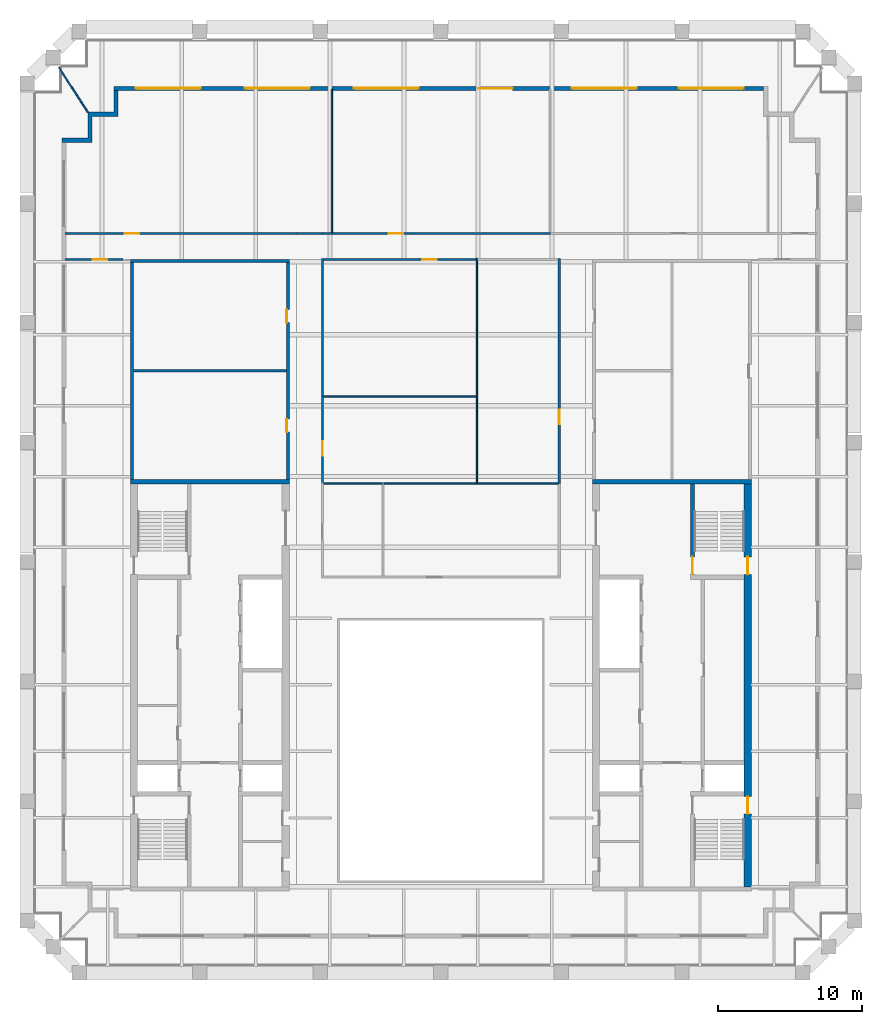
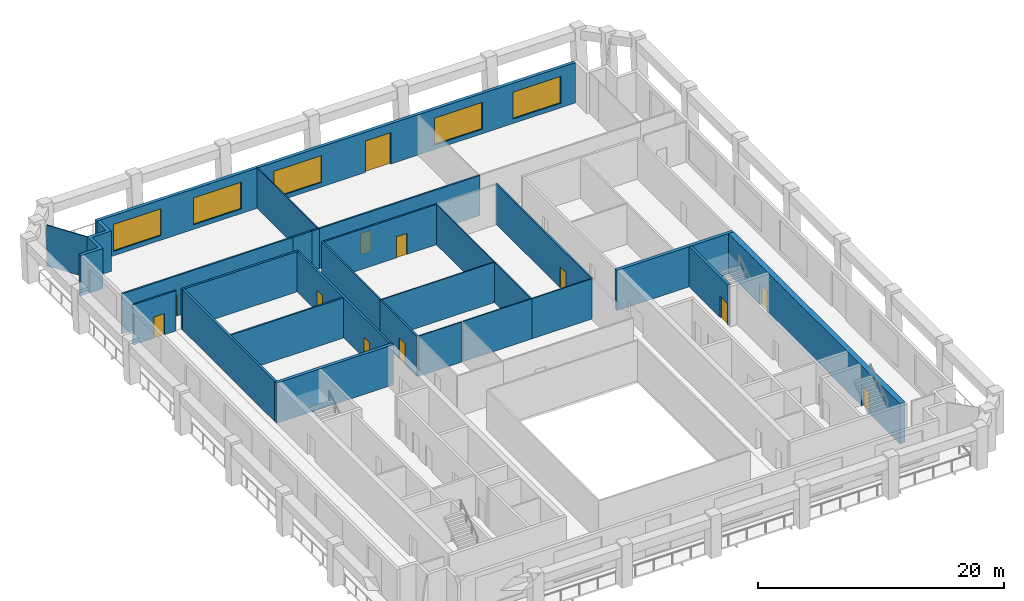
# One storey, part 5 of 8: 27 walls, 12 doors, 5 windows, 17 openings.
"""IFC4 building model written with IfcOpenShell, lengths in metres."""

from ifc_helpers import new_model, si_unit, direction, frame, frame_2d, origin, place, context, subcontext, project, spatial, polyline, rectangle, outline, extrude, material, layer, layer_set, type_object, element, fill, save


model = new_model("IFC4")

# Units and contexts
model_context = context("Model", 3, precision=1e-05, world=origin(), true_north=direction((0.0, 1.0)))
body_context = subcontext(model_context, "Body", "Model", "MODEL_VIEW")
ifc_project = project(units=[si_unit("LENGTHUNIT", "METRE"), si_unit("AREAUNIT", "SQUARE_METRE"), si_unit("VOLUMEUNIT", "CUBIC_METRE"), si_unit("PLANEANGLEUNIT", "RADIAN"), si_unit("MASSUNIT", "GRAM", prefix="KILO")], contexts=[model_context])

# Site, building, storey
site_placement = place(None, origin())
site = spatial("IfcSite", under=ifc_project, at=site_placement, CompositionType="ELEMENT")
building_placement = place(site_placement, origin())
building = spatial("IfcBuilding", under=site, at=building_placement, Name="Ogive Exchange Tower", CompositionType="ELEMENT")
storey_placement = place(building_placement, frame((0.0, 0.0, 317.39990234375)))
storey = spatial("IfcBuildingStorey", under=building, at=storey_placement, Name="L69", CompositionType="ELEMENT", Elevation=317.39990234375)

# Wall
ifc_material_1 = material(Name="Gypsum board partition")
ifc_layer_1 = layer(ifc_material_1, 0.14990234375)
ifc_layer_set_1 = layer_set([ifc_layer_1], Name="Core room partition 150 gypsum")
wall_type_1 = type_object("IfcWallType", Name="Core room partition 150 gypsum", PredefinedType="PARTITIONING", material=ifc_layer_set_1)
wall_1_placement = place(storey_placement, frame((-21.300048828125, 33.300048828125, 0.0), z_axis=(0.0, 0.0, 1.0), x_axis=(1.0, 0.0, 0.0)))
element("IfcWall", 1, at=wall_1_placement, inside=storey, type_object=wall_type_1, Name="W annex N cross wall", PredefinedType="PARTITIONING", context=body_context, shape_type="SweptSolid", body=[
    extrude(rectangle(XDim=10.60009765625, YDim=0.14990234375, at=frame_2d((5.300048828125, 0.0))), origin(), (0.0, 0.0, 1.0), 4.0),
])

# Wall, opening, door
ifc_material_2 = material(Name="Fire partition EI 60 150")
ifc_layer_2 = layer(ifc_material_2, 0.14990234375)
ifc_layer_set_2 = layer_set([ifc_layer_2], Name="Fire partition EI 60 150")
wall_type_2 = type_object("IfcWallType", Name="Fire partition EI 60 150", PredefinedType="PARTITIONING", material=ifc_layer_set_2)
wall_2_placement = place(storey_placement, frame((-26.050048828125, 42.800048828125, 0.0), z_axis=(0.0, 0.0, 1.0), x_axis=(1.0, 0.0, 0.0)))
wall_2 = element("IfcWall", 2, at=wall_2_placement, inside=storey, type_object=wall_type_2, Name="L69-PWL-001", PredefinedType="PARTITIONING", context=body_context, shape_type="SweptSolid", body=[
    extrude(rectangle(XDim=16.050048828125, YDim=0.14990234375, at=frame_2d((8.02490234375, 0.0))), origin(), (0.0, 0.0, 1.0), 4.0),
])
opening_1_placement = place(wall_2_placement, frame((4.14990234375, 0.0, 0.0)))
opening_1 = element("IfcOpeningElement", 3, at=opening_1_placement, cuts=wall_2, Name="Opening L69-I04", PredefinedType="OPENING", context=body_context, shape_type="SweptSolid", body=[
    extrude(rectangle(XDim=1.0, YDim=2.10009765625, at=frame_2d((0.5, 1.050048828125))), frame((0.0, 0.0849609375, 0.0), z_axis=(0.0, -1.0, 0.0), x_axis=(1.0, 0.0, 0.0)), (0.0, 0.0, 1.0), 0.169921875),
])
ifc_material_3 = material(Name="Fire door FD 30S 1000 x 2100")
door_type_1 = type_object("IfcDoorType", Name="Fire door FD 30S 1000 x 2100", OperationType="NOTDEFINED", PredefinedType="DOOR", material=ifc_material_3)
door_1_placement = place(opening_1_placement, origin())
door_1 = element("IfcDoor", 4, at=door_1_placement, inside=storey, type_object=door_type_1, Name="L69-IDR-004", ObjectType="DT3", OperationType="SINGLE_SWING_RIGHT", OverallHeight=2.10009765625, OverallWidth=1.0, PredefinedType="DOOR", context=body_context, shape_type="SweptSolid", body=[
    extrude(rectangle(XDim=1.0, YDim=2.10009765625, at=frame_2d((0.5, 1.050048828125))), frame((0.0, 0.02490234375, 0.0), z_axis=(0.0, -1.0, 0.0), x_axis=(1.0, 0.0, 0.0)), (0.0, 0.0, 1.0), 0.050048828125),
])
fill(opening_1, door_1)

wall_3_placement = place(storey_placement, frame((-22.0, 41.0, 0.0), z_axis=(0.0, 0.0, 1.0), x_axis=(-1.0, 0.0, 0.0)))
wall_3 = element("IfcWall", 5, at=wall_3_placement, inside=storey, type_object=wall_type_2, Name="L69-PWL-003", PredefinedType="PARTITIONING", context=body_context, shape_type="SweptSolid", body=[
    extrude(rectangle(XDim=4.050048828125, YDim=0.14990234375, at=frame_2d((2.02490234375, 0.0))), origin(), (0.0, 0.0, 1.0), 4.0),
])
opening_2_placement = place(wall_3_placement, frame((1.10009765625, 0.0, 0.0)))
opening_2 = element("IfcOpeningElement", 6, at=opening_2_placement, cuts=wall_3, Name="Opening L69-I10", PredefinedType="OPENING", context=body_context, shape_type="SweptSolid", body=[
    extrude(rectangle(XDim=1.0, YDim=2.10009765625, at=frame_2d((0.5, 1.050048828125))), frame((0.0, 0.0849609375, 0.0), z_axis=(0.0, -1.0, 0.0), x_axis=(1.0, 0.0, 0.0)), (0.0, 0.0, 1.0), 0.169921875),
])
door_2_placement = place(opening_2_placement, origin())
door_2 = element("IfcDoor", 7, at=door_2_placement, inside=storey, type_object=door_type_1, Name="L69-IDR-010", ObjectType="DT3", OperationType="SINGLE_SWING_RIGHT", OverallHeight=2.10009765625, OverallWidth=1.0, PredefinedType="DOOR", context=body_context, shape_type="SweptSolid", body=[
    extrude(rectangle(XDim=1.0, YDim=2.10009765625, at=frame_2d((0.5, 1.050048828125))), frame((0.0, 0.02490234375, 0.0), z_axis=(0.0, -1.0, 0.0), x_axis=(1.0, 0.0, 0.0)), (0.0, 0.0, 1.0), 0.050048828125),
])
fill(opening_2, door_2)

# Wall
wall_4_placement = place(storey_placement, frame((-10.0, 42.800048828125, 0.0), z_axis=(0.0, 0.0, 1.0), x_axis=(1.0, 0.0, 0.0)))
element("IfcWall", 8, at=wall_4_placement, inside=storey, type_object=wall_type_2, Name="L69-PWL-004", PredefinedType="PARTITIONING", context=body_context, shape_type="SweptSolid", body=[
    extrude(rectangle(XDim=1.800048828125, YDim=0.14990234375, at=frame_2d((0.89990234375, 0.0))), origin(), (0.0, 0.0, 1.0), 4.0),
])

# Wall, opening, door
wall_5_placement = place(storey_placement, frame((-8.199951171875, 31.5, 0.0), z_axis=(0.0, 0.0, 1.0), x_axis=(0.0, -1.0, 0.0)))
wall_5 = element("IfcWall", 9, at=wall_5_placement, inside=storey, type_object=wall_type_2, Name="L69-PWL-007", PredefinedType="PARTITIONING", context=body_context, shape_type="SweptSolid", body=[
    extrude(rectangle(XDim=5.949951171875, YDim=0.14990234375, at=frame_2d((2.97509765625, 0.0))), origin(), (0.0, 0.0, 1.0), 4.0),
])
opening_3_placement = place(wall_5_placement, frame((3.10009765625, 0.0, 0.0)))
opening_3 = element("IfcOpeningElement", 10, at=opening_3_placement, cuts=wall_5, Name="Opening L69-I06", PredefinedType="OPENING", context=body_context, shape_type="SweptSolid", body=[
    extrude(rectangle(XDim=1.0, YDim=2.10009765625, at=frame_2d((0.5, 1.050048828125))), frame((0.0, 0.0849609375, 0.0), z_axis=(0.0, -1.0, 0.0), x_axis=(1.0, 0.0, 0.0)), (0.0, 0.0, 1.0), 0.169921875),
])
door_3_placement = place(opening_3_placement, origin())
door_3 = element("IfcDoor", 11, at=door_3_placement, inside=storey, type_object=door_type_1, Name="L69-IDR-006", ObjectType="DT3", OperationType="SINGLE_SWING_LEFT", OverallHeight=2.10009765625, OverallWidth=1.0, PredefinedType="DOOR", context=body_context, shape_type="SweptSolid", body=[
    extrude(rectangle(XDim=1.0, YDim=2.10009765625, at=frame_2d((0.5, 1.050048828125))), frame((0.0, 0.02490234375, 0.0), z_axis=(0.0, -1.0, 0.0), x_axis=(1.0, 0.0, 0.0)), (0.0, 0.0, 1.0), 0.050048828125),
])
fill(opening_3, door_3)

# Walls
wall_6_placement = place(storey_placement, frame((-8.199951171875, 41.074951171875, 0.0), z_axis=(0.0, 0.0, 1.0), x_axis=(0.0, -1.0, 0.0)))
element("IfcWall", 12, at=wall_6_placement, inside=storey, type_object=wall_type_2, Name="L69-PWL-009", PredefinedType="PARTITIONING", context=body_context, shape_type="SweptSolid", body=[
    extrude(rectangle(XDim=9.574951171875, YDim=0.14990234375, at=frame_2d((4.78759765625, 0.0))), origin(), (0.0, 0.0, 1.0), 4.0),
])
wall_7_placement = place(storey_placement, frame((-8.199951171875, 42.800048828125, 0.0), z_axis=(0.0, 0.0, 1.0), x_axis=(1.0, 0.0, 0.0)))
element("IfcWall", 13, at=wall_7_placement, inside=storey, type_object=wall_type_2, Name="L69-PWL-010", PredefinedType="PARTITIONING", context=body_context, shape_type="SweptSolid", body=[
    extrude(rectangle(XDim=0.699951171875, YDim=0.14990234375, at=frame_2d((0.35009765625, 0.0))), origin(), (0.0, 0.0, 1.0), 4.0),
])

# Wall, opening, door
wall_8_placement = place(storey_placement, frame((-7.550048828125, 42.800048828125, 0.0), z_axis=(0.0, 0.0, 1.0), x_axis=(1.0, 0.0, 0.0)))
wall_8 = element("IfcWall", 14, at=wall_8_placement, inside=storey, type_object=wall_type_2, Name="L69-PWL-012", PredefinedType="PARTITIONING", context=body_context, shape_type="SweptSolid", body=[
    extrude(rectangle(XDim=15.150146484375, YDim=0.14990234375, at=frame_2d((7.5751953125, 0.0))), origin(), (0.0, 0.0, 1.0), 4.0),
])
opening_4_placement = place(wall_8_placement, frame((3.949951171875, 0.0, 0.0)))
opening_4 = element("IfcOpeningElement", 15, at=opening_4_placement, cuts=wall_8, Name="Opening L69-I03", PredefinedType="OPENING", context=body_context, shape_type="SweptSolid", body=[
    extrude(rectangle(XDim=1.0, YDim=2.10009765625, at=frame_2d((0.5, 1.050048828125))), frame((0.0, 0.0849609375, 0.0), z_axis=(0.0, -1.0, 0.0), x_axis=(1.0, 0.0, 0.0)), (0.0, 0.0, 1.0), 0.169921875),
])
door_4_placement = place(opening_4_placement, origin())
door_4 = element("IfcDoor", 16, at=door_4_placement, inside=storey, type_object=door_type_1, Name="L69-IDR-003", ObjectType="DT3", OperationType="SINGLE_SWING_LEFT", OverallHeight=2.10009765625, OverallWidth=1.0, PredefinedType="DOOR", context=body_context, shape_type="SweptSolid", body=[
    extrude(rectangle(XDim=1.0, YDim=2.10009765625, at=frame_2d((0.5, 1.050048828125))), frame((0.0, 0.02490234375, 0.0), z_axis=(0.0, -1.0, 0.0), x_axis=(1.0, 0.0, 0.0)), (0.0, 0.0, 1.0), 0.050048828125),
])
fill(opening_4, door_4)

wall_9_placement = place(storey_placement, frame((2.449951171875, 41.0, 0.0), z_axis=(0.0, 0.0, 1.0), x_axis=(-1.0, 0.0, 0.0)))
wall_9 = element("IfcWall", 17, at=wall_9_placement, inside=storey, type_object=wall_type_2, Name="L69-PWL-019", PredefinedType="PARTITIONING", context=body_context, shape_type="SweptSolid", body=[
    extrude(rectangle(XDim=10.574951171875, YDim=0.14990234375, at=frame_2d((5.28759765625, 0.0))), origin(), (0.0, 0.0, 1.0), 4.0),
])
opening_5_placement = place(wall_9_placement, frame((2.75, 0.0, 0.0)))
opening_5 = element("IfcOpeningElement", 18, at=opening_5_placement, cuts=wall_9, Name="Opening L69-I07", PredefinedType="OPENING", context=body_context, shape_type="SweptSolid", body=[
    extrude(rectangle(XDim=1.0, YDim=2.10009765625, at=frame_2d((0.5, 1.050048828125))), frame((0.0, 0.0849609375, 0.0), z_axis=(0.0, -1.0, 0.0), x_axis=(1.0, 0.0, 0.0)), (0.0, 0.0, 1.0), 0.169921875),
])
door_5_placement = place(opening_5_placement, origin())
door_5 = element("IfcDoor", 19, at=door_5_placement, inside=storey, type_object=door_type_1, Name="L69-IDR-007", ObjectType="DT3", OperationType="SINGLE_SWING_RIGHT", OverallHeight=2.10009765625, OverallWidth=1.0, PredefinedType="DOOR", context=body_context, shape_type="SweptSolid", body=[
    extrude(rectangle(XDim=1.0, YDim=2.10009765625, at=frame_2d((0.5, 1.050048828125))), frame((0.0, 0.02490234375, 0.0), z_axis=(0.0, -1.0, 0.0), x_axis=(1.0, 0.0, 0.0)), (0.0, 0.0, 1.0), 0.050048828125),
])
fill(opening_5, door_5)

wall_10_placement = place(storey_placement, frame((8.199951171875, 25.5, 0.0), z_axis=(0.0, 0.0, 1.0), x_axis=(0.0, 1.0, 0.0)))
wall_10 = element("IfcWall", 20, at=wall_10_placement, inside=storey, type_object=wall_type_2, Name="L69-PWL-024", PredefinedType="PARTITIONING", context=body_context, shape_type="SweptSolid", body=[
    extrude(rectangle(XDim=15.574951171875, YDim=0.14990234375, at=frame_2d((7.78759765625, 0.0))), origin(), (0.0, 0.0, 1.0), 4.0),
])
opening_6_placement = place(wall_10_placement, frame((4.10009765625, 0.0, 0.0)))
opening_6 = element("IfcOpeningElement", 21, at=opening_6_placement, cuts=wall_10, Name="Opening L69-I05", PredefinedType="OPENING", context=body_context, shape_type="SweptSolid", body=[
    extrude(rectangle(XDim=1.0, YDim=2.10009765625, at=frame_2d((0.5, 1.050048828125))), frame((0.0, 0.0849609375, 0.0), z_axis=(0.0, -1.0, 0.0), x_axis=(1.0, 0.0, 0.0)), (0.0, 0.0, 1.0), 0.169921875),
])
door_6_placement = place(opening_6_placement, origin())
door_6 = element("IfcDoor", 22, at=door_6_placement, inside=storey, type_object=door_type_1, Name="L69-IDR-005", ObjectType="DT3", OperationType="SINGLE_SWING_RIGHT", OverallHeight=2.10009765625, OverallWidth=1.0, PredefinedType="DOOR", context=body_context, shape_type="SweptSolid", body=[
    extrude(rectangle(XDim=1.0, YDim=2.10009765625, at=frame_2d((0.5, 1.050048828125))), frame((0.0, 0.02490234375, 0.0), z_axis=(0.0, -1.0, 0.0), x_axis=(1.0, 0.0, 0.0)), (0.0, 0.0, 1.0), 0.050048828125),
])
fill(opening_6, door_6)

# Wall, openings, door, windows
ifc_material_4 = material(Name="Precast concrete C40/50", Category="concrete")
ifc_layer_3 = layer(ifc_material_4, 0.300048828125)
ifc_layer_set_3 = layer_set([ifc_layer_3], Name="Limestone-faced wall 300")
wall_type_3 = type_object("IfcWallType", Name="Limestone-faced wall 300", PredefinedType="STANDARD", material=ifc_layer_set_3)
wall_11_placement = place(storey_placement, frame((22.35009765625, 52.85009765625, 0.0), z_axis=(0.0, 0.0, 1.0), x_axis=(-1.0, 0.0, 0.0)))
wall_11 = element("IfcWall", 23, at=wall_11_placement, inside=storey, type_object=wall_type_3, Name="External wall N3", PredefinedType="STANDARD", context=body_context, shape_type="SweptSolid", body=[
    extrude(rectangle(XDim=45.0, YDim=0.300048828125, at=frame_2d((22.5, 0.0))), origin(), (0.0, 0.0, 1.0), 4.0),
])
opening_7_placement = place(wall_11_placement, frame((1.375, 0.0, 0.449951171875)))
opening_7 = element("IfcOpeningElement", 24, at=opening_7_placement, cuts=wall_11, Name="Opening W1J", PredefinedType="OPENING", context=body_context, shape_type="SweptSolid", body=[
    extrude(rectangle(XDim=4.5, YDim=2.675048828125, at=frame_2d((2.25, 1.33740234375))), frame((0.0, 0.159912109375, 0.0), z_axis=(0.0, -1.0, 0.0), x_axis=(1.0, 0.0, 0.0)), (0.0, 0.0, 1.0), 0.320068359375),
])
opening_8_placement = place(wall_11_placement, frame((8.77490234375, 0.0, 0.449951171875)))
opening_8 = element("IfcOpeningElement", 25, at=opening_8_placement, cuts=wall_11, Name="Opening W1J", PredefinedType="OPENING", context=body_context, shape_type="SweptSolid", body=[
    extrude(rectangle(XDim=4.5, YDim=2.675048828125, at=frame_2d((2.25, 1.33740234375))), frame((0.0, 0.159912109375, 0.0), z_axis=(0.0, -1.0, 0.0), x_axis=(1.0, 0.0, 0.0)), (0.0, 0.0, 1.0), 0.320068359375),
])
opening_9_placement = place(wall_11_placement, frame((17.375, 0.0, 0.0)))
opening_9 = element("IfcOpeningElement", 26, at=opening_9_placement, cuts=wall_11, Name="Opening D1J", PredefinedType="OPENING", context=body_context, shape_type="SweptSolid", body=[
    extrude(rectangle(XDim=2.39990234375, YDim=3.125, at=frame_2d((1.199951171875, 1.5625))), frame((0.0, 0.159912109375, 0.0), z_axis=(0.0, -1.0, 0.0), x_axis=(1.0, 0.0, 0.0)), (0.0, 0.0, 1.0), 0.320068359375),
])
opening_10_placement = place(wall_11_placement, frame((23.875, 0.0, 0.449951171875)))
opening_10 = element("IfcOpeningElement", 27, at=opening_10_placement, cuts=wall_11, Name="Opening W1J", PredefinedType="OPENING", context=body_context, shape_type="SweptSolid", body=[
    extrude(rectangle(XDim=4.5, YDim=2.675048828125, at=frame_2d((2.25, 1.33740234375))), frame((0.0, 0.159912109375, 0.0), z_axis=(0.0, -1.0, 0.0), x_axis=(1.0, 0.0, 0.0)), (0.0, 0.0, 1.0), 0.320068359375),
])
opening_11_placement = place(wall_11_placement, frame((31.425048828125, 0.0, 0.449951171875)))
opening_11 = element("IfcOpeningElement", 28, at=opening_11_placement, cuts=wall_11, Name="Opening W1J", PredefinedType="OPENING", context=body_context, shape_type="SweptSolid", body=[
    extrude(rectangle(XDim=4.5, YDim=2.675048828125, at=frame_2d((2.25, 1.33740234375))), frame((0.0, 0.159912109375, 0.0), z_axis=(0.0, -1.0, 0.0), x_axis=(1.0, 0.0, 0.0)), (0.0, 0.0, 1.0), 0.320068359375),
])
opening_12_placement = place(wall_11_placement, frame((38.97509765625, 0.0, 0.449951171875)))
opening_12 = element("IfcOpeningElement", 29, at=opening_12_placement, cuts=wall_11, Name="Opening W1J", PredefinedType="OPENING", context=body_context, shape_type="SweptSolid", body=[
    extrude(rectangle(XDim=4.5, YDim=2.675048828125, at=frame_2d((2.25, 1.33740234375))), frame((0.0, 0.159912109375, 0.0), z_axis=(0.0, -1.0, 0.0), x_axis=(1.0, 0.0, 0.0)), (0.0, 0.0, 1.0), 0.320068359375),
])
ifc_material_5 = material(Name="Clear glass in bronze frame", Category="glass")
door_type_2 = type_object("IfcDoorType", Name="Sliding loggia door 2400 x 3125", OperationType="DOUBLE_DOOR_SLIDING", PredefinedType="DOOR", material=ifc_material_5)
door_7_placement = place(opening_9_placement, origin())
door_7 = element("IfcDoor", 30, at=door_7_placement, inside=storey, type_object=door_type_2, Name="Loggia door N02", OperationType="DOUBLE_DOOR_SLIDING", OverallHeight=3.125, OverallWidth=2.39990234375, PredefinedType="DOOR", context=body_context, shape_type="SweptSolid", body=[
    extrude(rectangle(XDim=2.39990234375, YDim=3.125, at=frame_2d((1.199951171875, 1.5625))), frame((0.0, 0.02490234375, 0.0), z_axis=(0.0, -1.0, 0.0), x_axis=(1.0, 0.0, 0.0)), (0.0, 0.0, 1.0), 0.050048828125),
])
fill(opening_9, door_7)
window_type = type_object("IfcWindowType", Name="Twin lancet window 4500 x 2675", PartitioningType="DOUBLE_PANEL_VERTICAL", PredefinedType="WINDOW", material=ifc_material_5)
window_1_placement = place(opening_7_placement, origin())
window_1 = element("IfcWindow", 31, at=window_1_placement, inside=storey, type_object=window_type, Name="Window N00", OverallHeight=2.675048828125, OverallWidth=4.5, PartitioningType="DOUBLE_PANEL_VERTICAL", PredefinedType="WINDOW", context=body_context, shape_type="SweptSolid", body=[
    extrude(rectangle(XDim=4.5, YDim=2.675048828125, at=frame_2d((2.25, 1.33740234375))), frame((0.0, 0.030029296875, 0.0), z_axis=(0.0, -1.0, 0.0), x_axis=(1.0, 0.0, 0.0)), (0.0, 0.0, 1.0), 0.06005859375),
])
fill(opening_7, window_1)
window_2_placement = place(opening_8_placement, origin())
window_2 = element("IfcWindow", 32, at=window_2_placement, inside=storey, type_object=window_type, Name="Window N01", OverallHeight=2.675048828125, OverallWidth=4.5, PartitioningType="DOUBLE_PANEL_VERTICAL", PredefinedType="WINDOW", context=body_context, shape_type="SweptSolid", body=[
    extrude(rectangle(XDim=4.5, YDim=2.675048828125, at=frame_2d((2.25, 1.33740234375))), frame((0.0, 0.030029296875, 0.0), z_axis=(0.0, -1.0, 0.0), x_axis=(1.0, 0.0, 0.0)), (0.0, 0.0, 1.0), 0.06005859375),
])
fill(opening_8, window_2)
window_3_placement = place(opening_10_placement, origin())
window_3 = element("IfcWindow", 33, at=window_3_placement, inside=storey, type_object=window_type, Name="Window N03", OverallHeight=2.675048828125, OverallWidth=4.5, PartitioningType="DOUBLE_PANEL_VERTICAL", PredefinedType="WINDOW", context=body_context, shape_type="SweptSolid", body=[
    extrude(rectangle(XDim=4.5, YDim=2.675048828125, at=frame_2d((2.25, 1.33740234375))), frame((0.0, 0.030029296875, 0.0), z_axis=(0.0, -1.0, 0.0), x_axis=(1.0, 0.0, 0.0)), (0.0, 0.0, 1.0), 0.06005859375),
])
fill(opening_10, window_3)
window_4_placement = place(opening_11_placement, origin())
window_4 = element("IfcWindow", 34, at=window_4_placement, inside=storey, type_object=window_type, Name="Window N04", OverallHeight=2.675048828125, OverallWidth=4.5, PartitioningType="DOUBLE_PANEL_VERTICAL", PredefinedType="WINDOW", context=body_context, shape_type="SweptSolid", body=[
    extrude(rectangle(XDim=4.5, YDim=2.675048828125, at=frame_2d((2.25, 1.33740234375))), frame((0.0, 0.030029296875, 0.0), z_axis=(0.0, -1.0, 0.0), x_axis=(1.0, 0.0, 0.0)), (0.0, 0.0, 1.0), 0.06005859375),
])
fill(opening_11, window_4)
window_5_placement = place(opening_12_placement, origin())
window_5 = element("IfcWindow", 35, at=window_5_placement, inside=storey, type_object=window_type, Name="Window N05", OverallHeight=2.675048828125, OverallWidth=4.5, PartitioningType="DOUBLE_PANEL_VERTICAL", PredefinedType="WINDOW", context=body_context, shape_type="SweptSolid", body=[
    extrude(rectangle(XDim=4.5, YDim=2.675048828125, at=frame_2d((2.25, 1.33740234375))), frame((0.0, 0.030029296875, 0.0), z_axis=(0.0, -1.0, 0.0), x_axis=(1.0, 0.0, 0.0)), (0.0, 0.0, 1.0), 0.06005859375),
])
fill(opening_12, window_5)

# Walls
wall_12_placement = place(storey_placement, origin())
element("IfcWall", 36, at=wall_12_placement, inside=storey, type_object=wall_type_3, Name="External corner wall C3", PredefinedType="STANDARD", context=body_context, shape_type="SweptSolid", body=[
    extrude(outline(polyline([(-24.449951171875, 49.39990234375), (-24.449951171875, 51.199951171875), (-22.64990234375, 51.199951171875), (-22.64990234375, 52.699951171875), (-22.35009765625, 52.699951171875), (-22.35009765625, 50.89990234375), (-24.14990234375, 50.89990234375), (-24.14990234375, 49.10009765625), (-26.25, 49.10009765625), (-26.25, 49.39990234375), (-24.449951171875, 49.39990234375)])), origin(), (0.0, 0.0, 1.0), 4.0),
])
ifc_material_6 = material(Name="Laminated safety glass in steel frame", Category="steel")
ifc_layer_4 = layer(ifc_material_6, 0.10009765625)
ifc_layer_set_4 = layer_set([ifc_layer_4], Name="Loggia end screen 100")
wall_type_4 = type_object("IfcWallType", Name="Loggia end screen 100", PredefinedType="STANDARD", material=ifc_layer_set_4)
wall_13_placement = place(storey_placement, frame((-24.449951171875, 51.199951171875, -0.0498046875), z_axis=(0.0, 0.0, 1.0), x_axis=(-0.543275962531, 0.839554184396, 0.0)))
element("IfcWall", 37, at=wall_13_placement, inside=storey, type_object=wall_type_4, Name="Loggia end screen C3", PredefinedType="STANDARD", context=body_context, shape_type="SweptSolid", body=[
    extrude(rectangle(XDim=3.69091796875, YDim=0.10009765625, at=frame_2d((1.845458984375, 0.0))), origin(), (0.0, 0.0, 1.0), 4.0498046875),
])
ifc_material_7 = material(Name="Partition 100 gypsum")
ifc_layer_5 = layer(ifc_material_7, 0.10009765625)
ifc_layer_set_5 = layer_set([ifc_layer_5], Name="Partition 100 gypsum")
wall_type_5 = type_object("IfcWallType", Name="Partition 100 gypsum", PredefinedType="PARTITIONING", material=ifc_layer_set_5)
wall_14_placement = place(storey_placement, frame((-8.125, 31.5, 0.0), z_axis=(0.0, 0.0, 1.0), x_axis=(1.0, 0.0, 0.0)))
element("IfcWall", 38, at=wall_14_placement, inside=storey, type_object=wall_type_5, Name="L69-PWL-008", PredefinedType="PARTITIONING", context=body_context, shape_type="SweptSolid", body=[
    extrude(rectangle(XDim=10.675048828125, YDim=0.10009765625, at=frame_2d((5.33740234375, 0.0))), origin(), (0.0, 0.0, 1.0), 4.0),
])
wall_15_placement = place(storey_placement, frame((-7.550048828125, 42.875, 0.0), z_axis=(0.0, 0.0, 1.0), x_axis=(0.0, 1.0, 0.0)))
element("IfcWall", 39, at=wall_15_placement, inside=storey, type_object=wall_type_5, Name="L69-PWL-011", PredefinedType="PARTITIONING", context=body_context, shape_type="SweptSolid", body=[
    extrude(rectangle(XDim=9.925048828125, YDim=0.10009765625, at=frame_2d((4.96240234375, 0.0))), origin(), (0.0, 0.0, 1.0), 4.0),
])
wall_16_placement = place(storey_placement, frame((-4.050048828125, 25.5, 0.0), z_axis=(0.0, 0.0, 1.0), x_axis=(-1.0, 0.0, 0.0)))
element("IfcWall", 40, at=wall_16_placement, inside=storey, type_object=wall_type_5, Name="L69-PWL-015", PredefinedType="PARTITIONING", context=body_context, shape_type="SweptSolid", body=[
    extrude(rectangle(XDim=4.074951171875, YDim=0.10009765625, at=frame_2d((2.03759765625, 0.0))), origin(), (0.0, 0.0, 1.0), 4.0),
])
wall_17_placement = place(storey_placement, frame((2.550048828125, 25.5, 0.0), z_axis=(0.0, 0.0, 1.0), x_axis=(-1.0, 0.0, 0.0)))
element("IfcWall", 41, at=wall_17_placement, inside=storey, type_object=wall_type_5, Name="L69-PWL-016", PredefinedType="PARTITIONING", context=body_context, shape_type="SweptSolid", body=[
    extrude(rectangle(XDim=6.5, YDim=0.10009765625, at=frame_2d((3.25, 0.0))), origin(), (0.0, 0.0, 1.0), 4.0),
])
wall_18_placement = place(storey_placement, frame((2.5, 25.550048828125, 0.0), z_axis=(0.0, 0.0, 1.0), x_axis=(0.0, 1.0, 0.0)))
element("IfcWall", 42, at=wall_18_placement, inside=storey, type_object=wall_type_5, Name="L69-PWL-017", PredefinedType="PARTITIONING", context=body_context, shape_type="SweptSolid", body=[
    extrude(rectangle(XDim=5.89990234375, YDim=0.10009765625, at=frame_2d((2.949951171875, 0.0))), origin(), (0.0, 0.0, 1.0), 4.0),
])
wall_19_placement = place(storey_placement, frame((2.5, 31.550048828125, 0.0), z_axis=(0.0, 0.0, 1.0), x_axis=(0.0, 1.0, 0.0)))
element("IfcWall", 43, at=wall_19_placement, inside=storey, type_object=wall_type_5, Name="L69-PWL-018", PredefinedType="PARTITIONING", context=body_context, shape_type="SweptSolid", body=[
    extrude(rectangle(XDim=9.52490234375, YDim=0.10009765625, at=frame_2d((4.762451171875, 0.0))), origin(), (0.0, 0.0, 1.0), 4.0),
])
wall_20_placement = place(storey_placement, frame((8.125, 25.5, 0.0), z_axis=(0.0, 0.0, 1.0), x_axis=(-1.0, 0.0, 0.0)))
element("IfcWall", 44, at=wall_20_placement, inside=storey, type_object=wall_type_5, Name="L69-PWL-023", PredefinedType="PARTITIONING", context=body_context, shape_type="SweptSolid", body=[
    extrude(rectangle(XDim=5.625, YDim=0.10009765625, at=frame_2d((2.8125, 0.0))), origin(), (0.0, 0.0, 1.0), 4.0),
])
ifc_material_8 = material(Name="Concrete C70/85", Category="concrete")
ifc_layer_6 = layer(ifc_material_8, 0.199951171875)
ifc_layer_set_6 = layer_set([ifc_layer_6], Name="RC core wall 200 C70/85")
wall_type_6 = type_object("IfcWallType", Name="RC core wall 200 C70/85", PredefinedType="SHEAR", material=ifc_layer_set_6)
wall_21_placement = place(storey_placement, frame((-21.39990234375, 25.75, 0.0), z_axis=(0.0, 0.0, 1.0), x_axis=(0.0, 1.0, 0.0)))
element("IfcWall", 45, at=wall_21_placement, inside=storey, type_object=wall_type_6, Name="W annex N outer wall", PredefinedType="SHEAR", context=body_context, shape_type="SweptSolid", body=[
    extrude(rectangle(XDim=15.050048828125, YDim=0.199951171875, at=frame_2d((7.52490234375, 0.0))), origin(), (0.0, 0.0, 1.0), 4.0),
])

# Wall, openings, doors
wall_22_placement = place(storey_placement, frame((-10.60009765625, 25.75, 0.0), z_axis=(0.0, 0.0, 1.0), x_axis=(0.0, 1.0, 0.0)))
wall_22 = element("IfcWall", 46, at=wall_22_placement, inside=storey, type_object=wall_type_6, Name="W annex N inner wall", PredefinedType="SHEAR", context=body_context, shape_type="SweptSolid", body=[
    extrude(rectangle(XDim=15.050048828125, YDim=0.199951171875, at=frame_2d((7.52490234375, 0.0))), origin(), (0.0, 0.0, 1.0), 4.0),
])
opening_13_placement = place(wall_22_placement, frame((3.28759765625, 0.0, 0.0)))
opening_13 = element("IfcOpeningElement", 47, at=opening_13_placement, cuts=wall_22, Name="Opening L69-C17", PredefinedType="OPENING", context=body_context, shape_type="SweptSolid", body=[
    extrude(rectangle(XDim=0.89990234375, YDim=2.10009765625, at=frame_2d((0.449951171875, 1.050048828125))), frame((0.0, 0.10986328125, 0.0), z_axis=(0.0, -1.0, 0.0), x_axis=(1.0, 0.0, 0.0)), (0.0, 0.0, 1.0), 0.219970703125),
])
opening_14_placement = place(wall_22_placement, frame((10.887451171875, 0.0, 0.0)))
opening_14 = element("IfcOpeningElement", 48, at=opening_14_placement, cuts=wall_22, Name="Opening L69-C18", PredefinedType="OPENING", context=body_context, shape_type="SweptSolid", body=[
    extrude(rectangle(XDim=0.89990234375, YDim=2.10009765625, at=frame_2d((0.449951171875, 1.050048828125))), frame((0.0, 0.10986328125, 0.0), z_axis=(0.0, -1.0, 0.0), x_axis=(1.0, 0.0, 0.0)), (0.0, 0.0, 1.0), 0.219970703125),
])
ifc_material_9 = material(Name="Steel fire door", Category="steel")
door_type_3 = type_object("IfcDoorType", Name="Riser door FD60 900 x 2100", OperationType="NOTDEFINED", PredefinedType="DOOR", material=ifc_material_9)
door_8_placement = place(opening_13_placement, frame((0.89990234375, 0.14990234375, 0.0), z_axis=(0.0, 0.0, 1.0), x_axis=(-1.0, 0.0, 0.0)))
door_8 = element("IfcDoor", 49, at=door_8_placement, inside=storey, type_object=door_type_3, Name="Riser door", ObjectType="CD2", OperationType="SINGLE_SWING_RIGHT", OverallHeight=2.10009765625, OverallWidth=0.89990234375, PredefinedType="DOOR", context=body_context, shape_type="SweptSolid", body=[
    extrude(rectangle(XDim=0.89990234375, YDim=2.10009765625, at=frame_2d((0.449951171875, 1.050048828125))), frame((0.0, 0.10009765625, 0.0), z_axis=(0.0, -1.0, 0.0), x_axis=(1.0, 0.0, 0.0)), (0.0, 0.0, 1.0), 0.050048828125),
])
fill(opening_13, door_8)
door_9_placement = place(opening_14_placement, frame((0.89990234375, 0.14990234375, 0.0), z_axis=(0.0, 0.0, 1.0), x_axis=(-1.0, 0.0, 0.0)))
door_9 = element("IfcDoor", 50, at=door_9_placement, inside=storey, type_object=door_type_3, Name="Riser door", ObjectType="CD2", OperationType="SINGLE_SWING_LEFT", OverallHeight=2.10009765625, OverallWidth=0.89990234375, PredefinedType="DOOR", context=body_context, shape_type="SweptSolid", body=[
    extrude(rectangle(XDim=0.89990234375, YDim=2.10009765625, at=frame_2d((0.449951171875, 1.050048828125))), frame((0.0, 0.10009765625, 0.0), z_axis=(0.0, -1.0, 0.0), x_axis=(1.0, 0.0, 0.0)), (0.0, 0.0, 1.0), 0.050048828125),
])
fill(opening_14, door_9)

# Wall
wall_23_placement = place(storey_placement, frame((-21.5, 40.89990234375, 0.0), z_axis=(0.0, 0.0, 1.0), x_axis=(1.0, 0.0, 0.0)))
element("IfcWall", 51, at=wall_23_placement, inside=storey, type_object=wall_type_6, Name="W annex N end wall", PredefinedType="SHEAR", context=body_context, shape_type="SweptSolid", body=[
    extrude(rectangle(XDim=11.0, YDim=0.199951171875, at=frame_2d((5.5, 0.0))), origin(), (0.0, 0.0, 1.0), 4.0),
])

# Wall, opening, door
ifc_layer_7 = layer(ifc_material_8, 0.25)
ifc_layer_set_7 = layer_set([ifc_layer_7], Name="RC core wall 250 C70/85")
wall_type_7 = type_object("IfcWallType", Name="RC core wall 250 C70/85", PredefinedType="SHEAR", material=ifc_layer_set_7)
wall_24_placement = place(storey_placement, frame((17.425048828125, 19.14990234375, 0.0), z_axis=(0.0, 0.0, 1.0), x_axis=(0.0, 1.0, 0.0)))
wall_24 = element("IfcWall", 52, at=wall_24_placement, inside=storey, type_object=wall_type_7, Name="E stair N front wall", PredefinedType="SHEAR", context=body_context, shape_type="SweptSolid", body=[
    extrude(rectangle(XDim=6.300048828125, YDim=0.25, at=frame_2d((3.14990234375, 0.0))), origin(), (0.0, 0.0, 1.0), 4.0),
])
opening_15_placement = place(wall_24_placement, frame((0.050048828125, 0.0, 0.0)))
opening_15 = element("IfcOpeningElement", 53, at=opening_15_placement, cuts=wall_24, Name="Opening L69-C30", PredefinedType="OPENING", context=body_context, shape_type="SweptSolid", body=[
    extrude(rectangle(XDim=1.199951171875, YDim=2.10009765625, at=frame_2d((0.60009765625, 1.050048828125))), frame((0.0, 0.135009765625, 0.0), z_axis=(0.0, -1.0, 0.0), x_axis=(1.0, 0.0, 0.0)), (0.0, 0.0, 1.0), 0.27001953125),
])
door_type_4 = type_object("IfcDoorType", Name="Stair door FD90 1200 x 2100", OperationType="NOTDEFINED", PredefinedType="DOOR", material=ifc_material_9)
door_10_placement = place(opening_15_placement, frame((1.199951171875, 0.0, 0.0), z_axis=(0.0, 0.0, 1.0), x_axis=(-1.0, 0.0, 0.0)))
door_10 = element("IfcDoor", 54, at=door_10_placement, inside=storey, type_object=door_type_4, Name="Stair door", ObjectType="CD5", OperationType="SINGLE_SWING_LEFT", OverallHeight=2.10009765625, OverallWidth=1.199951171875, PredefinedType="DOOR", context=body_context, shape_type="SweptSolid", body=[
    extrude(rectangle(XDim=1.199951171875, YDim=2.10009765625, at=frame_2d((0.60009765625, 1.050048828125))), frame((0.0, 0.02490234375, 0.0), z_axis=(0.0, -1.0, 0.0), x_axis=(1.0, 0.0, 0.0)), (0.0, 0.0, 1.0), 0.050048828125),
])
fill(opening_15, door_10)

# Walls
ifc_layer_8 = layer(ifc_material_8, 0.300048828125)
ifc_layer_set_8 = layer_set([ifc_layer_8], Name="RC core wall 300 C70/85")
wall_type_8 = type_object("IfcWallType", Name="RC core wall 300 C70/85", PredefinedType="SHEAR", material=ifc_layer_set_8)
for number, where, z_axis, x_axis, name in (
    (55, (-21.5, 25.60009765625, 0.0), (0.0, 0.0, 1.0), (1.0, 0.0, 0.0), "W north end wall"),
    (56, (10.5, 25.60009765625, 0.0), (0.0, 0.0, 1.0), (1.0, 0.0, 0.0), "E north end wall"),
):
    element("IfcWall", number, at=place(storey_placement, frame(where, z_axis=z_axis, x_axis=x_axis)), inside=storey, type_object=wall_type_8, Name=name, PredefinedType="SHEAR", context=body_context, shape_type="SweptSolid", body=[
        extrude(rectangle(XDim=11.0, YDim=0.300048828125, at=frame_2d((5.5, 0.0))), origin(), (0.0, 0.0, 1.0), 4.0),
    ])

# Wall, openings, doors
ifc_layer_9 = layer(ifc_material_8, 0.5)
ifc_layer_set_9 = layer_set([ifc_layer_9], Name="RC core wall 500 C70/85")
wall_type_9 = type_object("IfcWallType", Name="RC core wall 500 C70/85", PredefinedType="SHEAR", material=ifc_layer_set_9)
wall_25_placement = place(storey_placement, frame((21.25, -2.449951171875, 0.0), z_axis=(0.0, 0.0, 1.0), x_axis=(0.0, 1.0, 0.0)))
wall_25 = element("IfcWall", 57, at=wall_25_placement, inside=storey, type_object=wall_type_9, Name="E outer wall", PredefinedType="SHEAR", context=body_context, shape_type="SweptSolid", body=[
    extrude(rectangle(XDim=27.89990234375, YDim=0.5, at=frame_2d((13.949951171875, 0.0))), origin(), (0.0, 0.0, 1.0), 4.0),
])
opening_16_placement = place(wall_25_placement, frame((5.050048828125, 0.0, 0.0)))
opening_16 = element("IfcOpeningElement", 58, at=opening_16_placement, cuts=wall_25, Name="Opening L69-C29", PredefinedType="OPENING", context=body_context, shape_type="SweptSolid", body=[
    extrude(rectangle(XDim=1.199951171875, YDim=2.10009765625, at=frame_2d((0.60009765625, 1.050048828125))), frame((0.0, 0.260009765625, 0.0), z_axis=(0.0, -1.0, 0.0), x_axis=(1.0, 0.0, 0.0)), (0.0, 0.0, 1.0), 0.52001953125),
])
opening_17_placement = place(wall_25_placement, frame((21.64990234375, 0.0, 0.0)))
opening_17 = element("IfcOpeningElement", 59, at=opening_17_placement, cuts=wall_25, Name="Opening L69-C31", PredefinedType="OPENING", context=body_context, shape_type="SweptSolid", body=[
    extrude(rectangle(XDim=1.199951171875, YDim=2.10009765625, at=frame_2d((0.60009765625, 1.050048828125))), frame((0.0, 0.260009765625, 0.0), z_axis=(0.0, -1.0, 0.0), x_axis=(1.0, 0.0, 0.0)), (0.0, 0.0, 1.0), 0.52001953125),
])
door_11_placement = place(opening_16_placement, frame((1.199951171875, 0.0, 0.0), z_axis=(0.0, 0.0, 1.0), x_axis=(-1.0, 0.0, 0.0)))
door_11 = element("IfcDoor", 60, at=door_11_placement, inside=storey, type_object=door_type_4, Name="Stair door", ObjectType="CD5", OperationType="SINGLE_SWING_RIGHT", OverallHeight=2.10009765625, OverallWidth=1.199951171875, PredefinedType="DOOR", context=body_context, shape_type="SweptSolid", body=[
    extrude(rectangle(XDim=1.199951171875, YDim=2.10009765625, at=frame_2d((0.60009765625, 1.050048828125))), frame((0.0, 0.02490234375, 0.0), z_axis=(0.0, -1.0, 0.0), x_axis=(1.0, 0.0, 0.0)), (0.0, 0.0, 1.0), 0.050048828125),
])
fill(opening_16, door_11)
door_12_placement = place(opening_17_placement, frame((1.199951171875, 0.0, 0.0), z_axis=(0.0, 0.0, 1.0), x_axis=(-1.0, 0.0, 0.0)))
door_12 = element("IfcDoor", 61, at=door_12_placement, inside=storey, type_object=door_type_4, Name="Stair door", ObjectType="CD5", OperationType="SINGLE_SWING_LEFT", OverallHeight=2.10009765625, OverallWidth=1.199951171875, PredefinedType="DOOR", context=body_context, shape_type="SweptSolid", body=[
    extrude(rectangle(XDim=1.199951171875, YDim=2.10009765625, at=frame_2d((0.60009765625, 1.050048828125))), frame((0.0, 0.02490234375, 0.0), z_axis=(0.0, -1.0, 0.0), x_axis=(1.0, 0.0, 0.0)), (0.0, 0.0, 1.0), 0.050048828125),
])
fill(opening_17, door_12)

save(model, "model.ifc")
